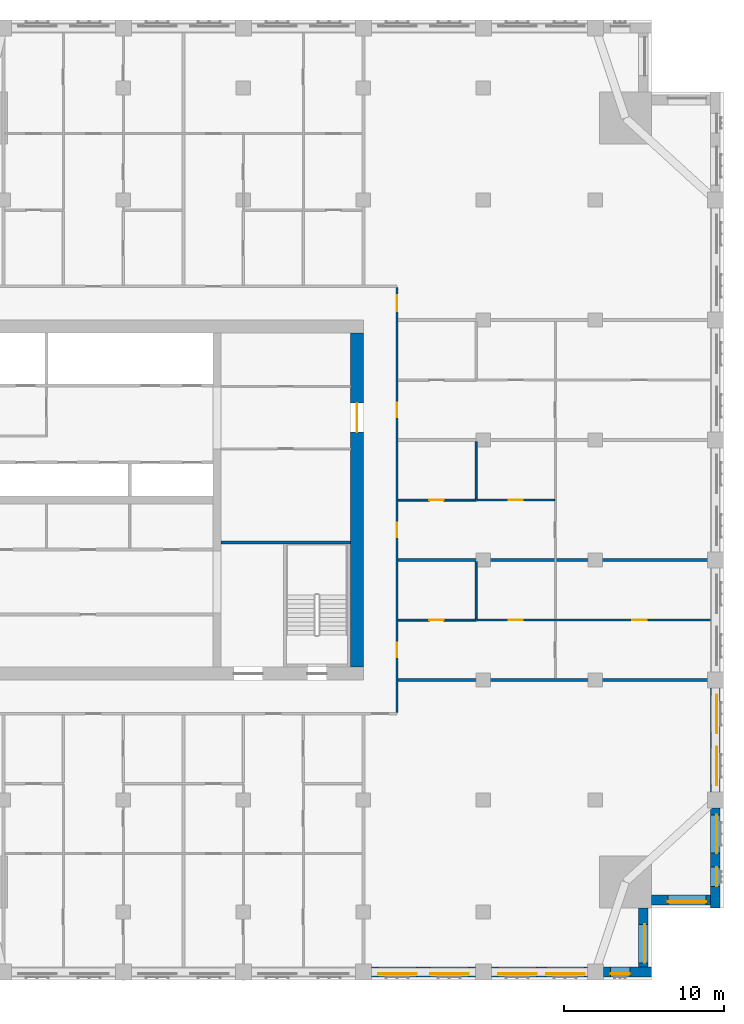
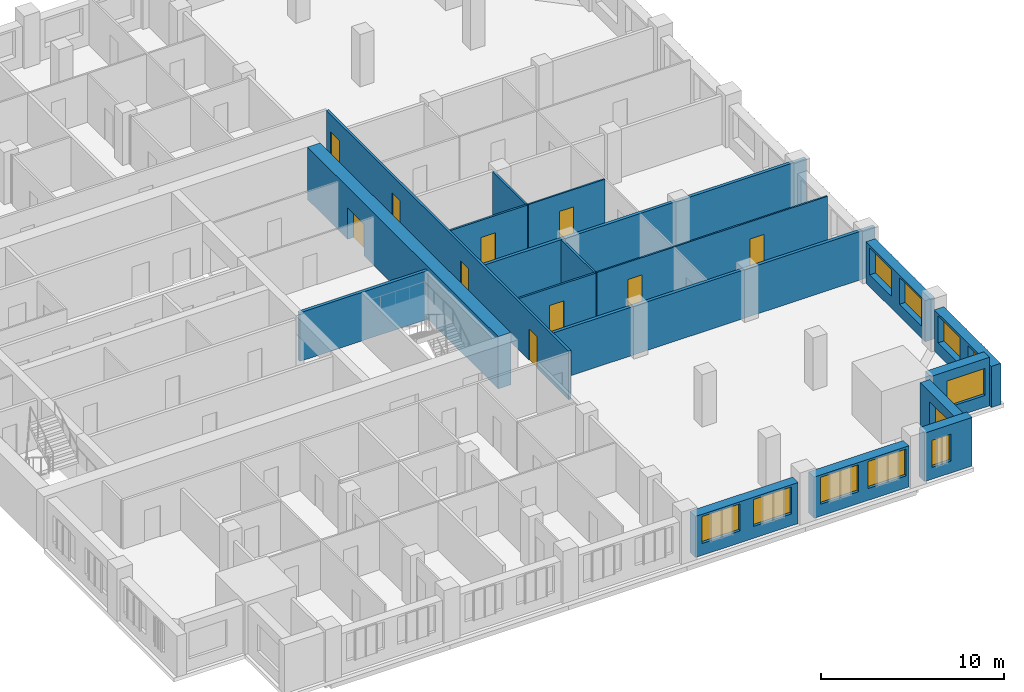
# One storey, part 8 of 14: 18 walls, 11 windows, 10 doors, 21 openings.
"""IFC4 building model written with IfcOpenShell, lengths in metres."""

from ifc_helpers import new_model, si_unit, direction, frame, frame_2d, origin, place, context, subcontext, project, spatial, rectangle, extrude, material, layer, layer_set, type_object, element, fill, save


model = new_model("IFC4")

# Units and contexts
model_context = context("Model", 3, precision=1e-05, world=origin(), true_north=direction((0.0, 1.0)))
body_context = subcontext(model_context, "Body", "Model", "MODEL_VIEW")
ifc_project = project(units=[si_unit("LENGTHUNIT", "METRE"), si_unit("AREAUNIT", "SQUARE_METRE"), si_unit("VOLUMEUNIT", "CUBIC_METRE"), si_unit("PLANEANGLEUNIT", "RADIAN"), si_unit("MASSUNIT", "GRAM", prefix="KILO")], contexts=[model_context])

# Site, building, storey
site_placement = place(None, origin())
site = spatial("IfcSite", under=ifc_project, at=site_placement, CompositionType="ELEMENT")
building_placement = place(site_placement, origin())
building = spatial("IfcBuilding", under=site, at=building_placement, Name="Tamorin Gate", CompositionType="ELEMENT")
storey_placement = place(building_placement, frame((0.0, 0.0, 196.699951171875)))
storey = spatial("IfcBuildingStorey", under=building, at=storey_placement, Name="L48", CompositionType="ELEMENT", Elevation=196.699951171875)

# Wall, openings, windows
ifc_material_1 = material(Name="Precast concrete C40/50", Category="concrete")
ifc_layer_1 = layer(ifc_material_1, 0.60009765625)
ifc_layer_set_1 = layer_set([ifc_layer_1], Name="Precast concrete C40/50")
wall_type_1 = type_object("IfcWallType", Name="Board-marked concrete facade panel 600", PredefinedType="SOLIDWALL", material=ifc_layer_set_1)
wall_1_placement = place(storey_placement, frame((60.5, 41.75, 0.0), z_axis=(0.0, 0.0, 1.0), x_axis=(1.0, 0.0, 0.0)))
wall_1 = element("IfcWall", 1, at=wall_1_placement, inside=storey, type_object=wall_type_1, Name="Facade panel", PredefinedType="SOLIDWALL", context=body_context, shape_type="SweptSolid", body=[
    extrude(rectangle(XDim=6.5, YDim=0.60009765625, at=frame_2d((3.25, 0.0))), origin(), (0.0, 0.0, 1.0), 2.75),
])
opening_1_placement = place(wall_1_placement, frame((0.425048828125, 0.0, 0.800048828125)))
opening_1 = element("IfcOpeningElement", 2, at=opening_1_placement, cuts=wall_1, Name="Opening WN1", PredefinedType="OPENING", context=body_context, shape_type="SweptSolid", body=[
    extrude(rectangle(XDim=2.39990234375, YDim=1.800048828125, at=frame_2d((1.199951171875, 0.89990234375))), frame((0.0, 0.31005859375, 0.0), z_axis=(0.0, -1.0, 0.0), x_axis=(1.0, 0.0, 0.0)), (0.0, 0.0, 1.0), 0.6201171875),
])
opening_2_placement = place(wall_1_placement, frame((3.675048828125, 0.0, 0.800048828125)))
opening_2 = element("IfcOpeningElement", 3, at=opening_2_placement, cuts=wall_1, Name="Opening WN1", PredefinedType="OPENING", context=body_context, shape_type="SweptSolid", body=[
    extrude(rectangle(XDim=2.39990234375, YDim=1.800048828125, at=frame_2d((1.199951171875, 0.89990234375))), frame((0.0, 0.31005859375, 0.0), z_axis=(0.0, -1.0, 0.0), x_axis=(1.0, 0.0, 0.0)), (0.0, 0.0, 1.0), 0.6201171875),
])
ifc_material_2 = material(Name="Clear glass in aluminium frame", Category="aluminium")
window_type_1 = type_object("IfcWindowType", Name="Deep-set window 2400x1800", PartitioningType="SINGLE_PANEL", PredefinedType="WINDOW", material=ifc_material_2)
window_1_placement = place(opening_1_placement, origin())
window_1 = element("IfcWindow", 4, at=window_1_placement, inside=storey, type_object=window_type_1, Name="Deep-set window", OverallHeight=1.800048828125, OverallWidth=2.39990234375, PartitioningType="SINGLE_PANEL", PredefinedType="WINDOW", context=body_context, shape_type="SweptSolid", body=[
    extrude(rectangle(XDim=2.39990234375, YDim=1.800048828125, at=frame_2d((1.199951171875, 0.89990234375))), frame((0.0, -0.070068359375, 0.0), z_axis=(0.0, -1.0, 0.0), x_axis=(1.0, 0.0, 0.0)), (0.0, 0.0, 1.0), 0.06005859375),
])
fill(opening_1, window_1)
window_2_placement = place(opening_2_placement, origin())
window_2 = element("IfcWindow", 5, at=window_2_placement, inside=storey, type_object=window_type_1, Name="Deep-set window", OverallHeight=1.800048828125, OverallWidth=2.39990234375, PartitioningType="SINGLE_PANEL", PredefinedType="WINDOW", context=body_context, shape_type="SweptSolid", body=[
    extrude(rectangle(XDim=2.39990234375, YDim=1.800048828125, at=frame_2d((1.199951171875, 0.89990234375))), frame((0.0, -0.070068359375, 0.0), z_axis=(0.0, -1.0, 0.0), x_axis=(1.0, 0.0, 0.0)), (0.0, 0.0, 1.0), 0.06005859375),
])
fill(opening_2, window_2)

wall_2_placement = place(storey_placement, frame((68.0, 41.75, 0.0), z_axis=(0.0, 0.0, 1.0), x_axis=(1.0, 0.0, 0.0)))
wall_2 = element("IfcWall", 6, at=wall_2_placement, inside=storey, type_object=wall_type_1, Name="Facade panel", PredefinedType="SOLIDWALL", context=body_context, shape_type="SweptSolid", body=[
    extrude(rectangle(XDim=6.0, YDim=0.60009765625, at=frame_2d((3.0, 0.0))), origin(), (0.0, 0.0, 1.0), 2.75),
])
opening_3_placement = place(wall_2_placement, frame((0.425048828125, 0.0, 0.800048828125)))
opening_3 = element("IfcOpeningElement", 7, at=opening_3_placement, cuts=wall_2, Name="Opening WN1", PredefinedType="OPENING", context=body_context, shape_type="SweptSolid", body=[
    extrude(rectangle(XDim=2.39990234375, YDim=1.800048828125, at=frame_2d((1.199951171875, 0.89990234375))), frame((0.0, 0.31005859375, 0.0), z_axis=(0.0, -1.0, 0.0), x_axis=(1.0, 0.0, 0.0)), (0.0, 0.0, 1.0), 0.6201171875),
])
opening_4_placement = place(wall_2_placement, frame((3.425048828125, 0.0, 0.800048828125)))
opening_4 = element("IfcOpeningElement", 8, at=opening_4_placement, cuts=wall_2, Name="Opening WN1", PredefinedType="OPENING", context=body_context, shape_type="SweptSolid", body=[
    extrude(rectangle(XDim=2.39990234375, YDim=1.800048828125, at=frame_2d((1.199951171875, 0.89990234375))), frame((0.0, 0.31005859375, 0.0), z_axis=(0.0, -1.0, 0.0), x_axis=(1.0, 0.0, 0.0)), (0.0, 0.0, 1.0), 0.6201171875),
])
window_3_placement = place(opening_3_placement, origin())
window_3 = element("IfcWindow", 9, at=window_3_placement, inside=storey, type_object=window_type_1, Name="Deep-set window", OverallHeight=1.800048828125, OverallWidth=2.39990234375, PartitioningType="SINGLE_PANEL", PredefinedType="WINDOW", context=body_context, shape_type="SweptSolid", body=[
    extrude(rectangle(XDim=2.39990234375, YDim=1.800048828125, at=frame_2d((1.199951171875, 0.89990234375))), frame((0.0, -0.070068359375, 0.0), z_axis=(0.0, -1.0, 0.0), x_axis=(1.0, 0.0, 0.0)), (0.0, 0.0, 1.0), 0.06005859375),
])
fill(opening_3, window_3)
window_4_placement = place(opening_4_placement, origin())
window_4 = element("IfcWindow", 10, at=window_4_placement, inside=storey, type_object=window_type_1, Name="Deep-set window", OverallHeight=1.800048828125, OverallWidth=2.39990234375, PartitioningType="SINGLE_PANEL", PredefinedType="WINDOW", context=body_context, shape_type="SweptSolid", body=[
    extrude(rectangle(XDim=2.39990234375, YDim=1.800048828125, at=frame_2d((1.199951171875, 0.89990234375))), frame((0.0, -0.070068359375, 0.0), z_axis=(0.0, -1.0, 0.0), x_axis=(1.0, 0.0, 0.0)), (0.0, 0.0, 1.0), 0.06005859375),
])
fill(opening_4, window_4)

# Wall, opening, window
wall_3_placement = place(storey_placement, frame((75.0, 41.75, 0.0), z_axis=(0.0, 0.0, 1.0), x_axis=(1.0, 0.0, 0.0)))
wall_3 = element("IfcWall", 11, at=wall_3_placement, inside=storey, type_object=wall_type_1, Name="Facade panel", PredefinedType="SOLIDWALL", context=body_context, shape_type="SweptSolid", body=[
    extrude(rectangle(XDim=3.0, YDim=0.60009765625, at=frame_2d((1.5, 0.0))), origin(), (0.0, 0.0, 1.0), 3.25),
])
opening_5_placement = place(wall_3_placement, frame((0.449951171875, 0.0, 0.800048828125)))
opening_5 = element("IfcOpeningElement", 12, at=opening_5_placement, cuts=wall_3, Name="Opening WN3", PredefinedType="OPENING", context=body_context, shape_type="SweptSolid", body=[
    extrude(rectangle(XDim=1.199951171875, YDim=1.800048828125, at=frame_2d((0.60009765625, 0.89990234375))), frame((0.0, 0.31005859375, 0.0), z_axis=(0.0, -1.0, 0.0), x_axis=(1.0, 0.0, 0.0)), (0.0, 0.0, 1.0), 0.6201171875),
])
window_type_2 = type_object("IfcWindowType", Name="Deep-set window 1200x1800", PartitioningType="SINGLE_PANEL", PredefinedType="WINDOW", material=ifc_material_2)
window_5_placement = place(opening_5_placement, origin())
window_5 = element("IfcWindow", 13, at=window_5_placement, inside=storey, type_object=window_type_2, Name="Deep-set window", OverallHeight=1.800048828125, OverallWidth=1.199951171875, PartitioningType="SINGLE_PANEL", PredefinedType="WINDOW", context=body_context, shape_type="SweptSolid", body=[
    extrude(rectangle(XDim=1.199951171875, YDim=1.800048828125, at=frame_2d((0.60009765625, 0.89990234375))), frame((0.0, -0.070068359375, 0.0), z_axis=(0.0, -1.0, 0.0), x_axis=(1.0, 0.0, 0.0)), (0.0, 0.0, 1.0), 0.06005859375),
])
fill(opening_5, window_5)

wall_4_placement = place(storey_placement, frame((77.5, 42.050048828125, 0.0), z_axis=(0.0, 0.0, 1.0), x_axis=(0.0, 1.0, 0.0)))
wall_4 = element("IfcWall", 14, at=wall_4_placement, inside=storey, type_object=wall_type_1, Name="Facade panel", PredefinedType="SOLIDWALL", context=body_context, shape_type="SweptSolid", body=[
    extrude(rectangle(XDim=3.699951171875, YDim=0.60009765625, at=frame_2d((1.85009765625, 0.0))), origin(), (0.0, 0.0, 1.0), 3.25),
])
opening_6_placement = place(wall_4_placement, frame((0.27490234375, 0.0, 0.800048828125)))
opening_6 = element("IfcOpeningElement", 15, at=opening_6_placement, cuts=wall_4, Name="Opening WN1", PredefinedType="OPENING", context=body_context, shape_type="SweptSolid", body=[
    extrude(rectangle(XDim=2.39990234375, YDim=1.800048828125, at=frame_2d((1.199951171875, 0.89990234375))), frame((0.0, 0.31005859375, 0.0), z_axis=(0.0, -1.0, 0.0), x_axis=(1.0, 0.0, 0.0)), (0.0, 0.0, 1.0), 0.6201171875),
])
window_6_placement = place(opening_6_placement, origin())
window_6 = element("IfcWindow", 16, at=window_6_placement, inside=storey, type_object=window_type_1, Name="Deep-set window", OverallHeight=1.800048828125, OverallWidth=2.39990234375, PartitioningType="SINGLE_PANEL", PredefinedType="WINDOW", context=body_context, shape_type="SweptSolid", body=[
    extrude(rectangle(XDim=2.39990234375, YDim=1.800048828125, at=frame_2d((1.199951171875, 0.89990234375))), frame((0.0, -0.070068359375, 0.0), z_axis=(0.0, -1.0, 0.0), x_axis=(1.0, 0.0, 0.0)), (0.0, 0.0, 1.0), 0.06005859375),
])
fill(opening_6, window_6)

wall_5_placement = place(storey_placement, frame((78.0, 46.25, 0.0), z_axis=(0.0, 0.0, 1.0), x_axis=(1.0, 0.0, 0.0)))
wall_5 = element("IfcWall", 17, at=wall_5_placement, inside=storey, type_object=wall_type_1, Name="Facade panel", PredefinedType="SOLIDWALL", context=body_context, shape_type="SweptSolid", body=[
    extrude(rectangle(XDim=3.699951171875, YDim=0.60009765625, at=frame_2d((1.85009765625, 0.0))), origin(), (0.0, 0.0, 1.0), 3.25),
])
opening_7_placement = place(wall_5_placement, frame((1.02490234375, 0.0, 0.800048828125)))
opening_7 = element("IfcOpeningElement", 18, at=opening_7_placement, cuts=wall_5, Name="Opening WN1", PredefinedType="OPENING", context=body_context, shape_type="SweptSolid", body=[
    extrude(rectangle(XDim=2.39990234375, YDim=1.800048828125, at=frame_2d((1.199951171875, 0.89990234375))), frame((0.0, 0.31005859375, 0.0), z_axis=(0.0, -1.0, 0.0), x_axis=(1.0, 0.0, 0.0)), (0.0, 0.0, 1.0), 0.6201171875),
])
window_7_placement = place(opening_7_placement, origin())
window_7 = element("IfcWindow", 19, at=window_7_placement, inside=storey, type_object=window_type_1, Name="Deep-set window", OverallHeight=1.800048828125, OverallWidth=2.39990234375, PartitioningType="SINGLE_PANEL", PredefinedType="WINDOW", context=body_context, shape_type="SweptSolid", body=[
    extrude(rectangle(XDim=2.39990234375, YDim=1.800048828125, at=frame_2d((1.199951171875, 0.89990234375))), frame((0.0, -0.070068359375, 0.0), z_axis=(0.0, -1.0, 0.0), x_axis=(1.0, 0.0, 0.0)), (0.0, 0.0, 1.0), 0.06005859375),
])
fill(opening_7, window_7)

# Wall, openings, windows
wall_6_placement = place(storey_placement, frame((82.0, 45.75, 0.0), z_axis=(0.0, 0.0, 1.0), x_axis=(0.0, 1.0, 0.0)))
wall_6 = element("IfcWall", 20, at=wall_6_placement, inside=storey, type_object=wall_type_1, Name="Facade panel", PredefinedType="SOLIDWALL", context=body_context, shape_type="SweptSolid", body=[
    extrude(rectangle(XDim=6.25, YDim=0.60009765625, at=frame_2d((3.125, 0.0))), origin(), (0.0, 0.0, 1.0), 2.75),
])
opening_8_placement = place(wall_6_placement, frame((1.35009765625, 0.0, 0.800048828125)))
opening_8 = element("IfcOpeningElement", 21, at=opening_8_placement, cuts=wall_6, Name="Opening WN3", PredefinedType="OPENING", context=body_context, shape_type="SweptSolid", body=[
    extrude(rectangle(XDim=1.199951171875, YDim=1.800048828125, at=frame_2d((0.60009765625, 0.89990234375))), frame((0.0, 0.31005859375, 0.0), z_axis=(0.0, -1.0, 0.0), x_axis=(1.0, 0.0, 0.0)), (0.0, 0.0, 1.0), 0.6201171875),
])
opening_9_placement = place(wall_6_placement, frame((3.425048828125, 0.0, 0.800048828125)))
opening_9 = element("IfcOpeningElement", 22, at=opening_9_placement, cuts=wall_6, Name="Opening WN1", PredefinedType="OPENING", context=body_context, shape_type="SweptSolid", body=[
    extrude(rectangle(XDim=2.39990234375, YDim=1.800048828125, at=frame_2d((1.199951171875, 0.89990234375))), frame((0.0, 0.31005859375, 0.0), z_axis=(0.0, -1.0, 0.0), x_axis=(1.0, 0.0, 0.0)), (0.0, 0.0, 1.0), 0.6201171875),
])
window_8_placement = place(opening_8_placement, origin())
window_8 = element("IfcWindow", 23, at=window_8_placement, inside=storey, type_object=window_type_2, Name="Deep-set window", OverallHeight=1.800048828125, OverallWidth=1.199951171875, PartitioningType="SINGLE_PANEL", PredefinedType="WINDOW", context=body_context, shape_type="SweptSolid", body=[
    extrude(rectangle(XDim=1.199951171875, YDim=1.800048828125, at=frame_2d((0.60009765625, 0.89990234375))), frame((0.0, -0.070068359375, 0.0), z_axis=(0.0, -1.0, 0.0), x_axis=(1.0, 0.0, 0.0)), (0.0, 0.0, 1.0), 0.06005859375),
])
fill(opening_8, window_8)
window_9_placement = place(opening_9_placement, origin())
window_9 = element("IfcWindow", 24, at=window_9_placement, inside=storey, type_object=window_type_1, Name="Deep-set window", OverallHeight=1.800048828125, OverallWidth=2.39990234375, PartitioningType="SINGLE_PANEL", PredefinedType="WINDOW", context=body_context, shape_type="SweptSolid", body=[
    extrude(rectangle(XDim=2.39990234375, YDim=1.800048828125, at=frame_2d((1.199951171875, 0.89990234375))), frame((0.0, -0.070068359375, 0.0), z_axis=(0.0, -1.0, 0.0), x_axis=(1.0, 0.0, 0.0)), (0.0, 0.0, 1.0), 0.06005859375),
])
fill(opening_9, window_9)

wall_7_placement = place(storey_placement, frame((82.0, 53.0, 0.0), z_axis=(0.0, 0.0, 1.0), x_axis=(0.0, 1.0, 0.0)))
wall_7 = element("IfcWall", 25, at=wall_7_placement, inside=storey, type_object=wall_type_1, Name="Facade panel", PredefinedType="SOLIDWALL", context=body_context, shape_type="SweptSolid", body=[
    extrude(rectangle(XDim=6.5, YDim=0.60009765625, at=frame_2d((3.25, 0.0))), origin(), (0.0, 0.0, 1.0), 2.75),
])
opening_10_placement = place(wall_7_placement, frame((0.425048828125, 0.0, 0.800048828125)))
opening_10 = element("IfcOpeningElement", 26, at=opening_10_placement, cuts=wall_7, Name="Opening WN1", PredefinedType="OPENING", context=body_context, shape_type="SweptSolid", body=[
    extrude(rectangle(XDim=2.39990234375, YDim=1.800048828125, at=frame_2d((1.199951171875, 0.89990234375))), frame((0.0, 0.31005859375, 0.0), z_axis=(0.0, -1.0, 0.0), x_axis=(1.0, 0.0, 0.0)), (0.0, 0.0, 1.0), 0.6201171875),
])
opening_11_placement = place(wall_7_placement, frame((3.675048828125, 0.0, 0.800048828125)))
opening_11 = element("IfcOpeningElement", 27, at=opening_11_placement, cuts=wall_7, Name="Opening WN1", PredefinedType="OPENING", context=body_context, shape_type="SweptSolid", body=[
    extrude(rectangle(XDim=2.39990234375, YDim=1.800048828125, at=frame_2d((1.199951171875, 0.89990234375))), frame((0.0, 0.31005859375, 0.0), z_axis=(0.0, -1.0, 0.0), x_axis=(1.0, 0.0, 0.0)), (0.0, 0.0, 1.0), 0.6201171875),
])
window_10_placement = place(opening_10_placement, origin())
window_10 = element("IfcWindow", 28, at=window_10_placement, inside=storey, type_object=window_type_1, Name="Deep-set window", OverallHeight=1.800048828125, OverallWidth=2.39990234375, PartitioningType="SINGLE_PANEL", PredefinedType="WINDOW", context=body_context, shape_type="SweptSolid", body=[
    extrude(rectangle(XDim=2.39990234375, YDim=1.800048828125, at=frame_2d((1.199951171875, 0.89990234375))), frame((0.0, -0.070068359375, 0.0), z_axis=(0.0, -1.0, 0.0), x_axis=(1.0, 0.0, 0.0)), (0.0, 0.0, 1.0), 0.06005859375),
])
fill(opening_10, window_10)
window_11_placement = place(opening_11_placement, origin())
window_11 = element("IfcWindow", 29, at=window_11_placement, inside=storey, type_object=window_type_1, Name="Deep-set window", OverallHeight=1.800048828125, OverallWidth=2.39990234375, PartitioningType="SINGLE_PANEL", PredefinedType="WINDOW", context=body_context, shape_type="SweptSolid", body=[
    extrude(rectangle(XDim=2.39990234375, YDim=1.800048828125, at=frame_2d((1.199951171875, 0.89990234375))), frame((0.0, -0.070068359375, 0.0), z_axis=(0.0, -1.0, 0.0), x_axis=(1.0, 0.0, 0.0)), (0.0, 0.0, 1.0), 0.06005859375),
])
fill(opening_11, window_11)

# Wall, openings, doors
ifc_material_3 = material(Name="Gypsum board partition")
ifc_layer_2 = layer(ifc_material_3, 0.14990234375)
ifc_layer_set_2 = layer_set([ifc_layer_2], Name="Corridor wall 150")
wall_type_2 = type_object("IfcWallType", Name="Corridor wall 150", PredefinedType="PARTITIONING", material=ifc_layer_set_2)
wall_8_placement = place(storey_placement, frame((62.10009765625, 57.97509765625, 0.0), z_axis=(0.0, 0.0, 1.0), x_axis=(0.0, 1.0, 0.0)))
wall_8 = element("IfcWall", 30, at=wall_8_placement, inside=storey, type_object=wall_type_2, Name="Corridor wall 150", PredefinedType="PARTITIONING", context=body_context, shape_type="SweptSolid", body=[
    extrude(rectangle(XDim=26.5498046875, YDim=0.14990234375, at=frame_2d((13.27490234375, 0.0))), origin(), (0.0, 0.0, 1.0), 3.25),
])
opening_12_placement = place(wall_8_placement, frame((25.074951171875, 0.0, 0.0)))
opening_12 = element("IfcOpeningElement", 31, at=opening_12_placement, cuts=wall_8, Name="Opening DR2035", PredefinedType="OPENING", context=body_context, shape_type="SweptSolid", body=[
    extrude(rectangle(XDim=1.0, YDim=2.10009765625, at=frame_2d((0.5, 1.050048828125))), frame((0.0, 0.0849609375, 0.0), z_axis=(0.0, -1.0, 0.0), x_axis=(1.0, 0.0, 0.0)), (0.0, 0.0, 1.0), 0.169921875),
])
opening_13_placement = place(wall_8_placement, frame((3.449951171875, 0.0, 0.0)))
opening_13 = element("IfcOpeningElement", 32, at=opening_13_placement, cuts=wall_8, Name="Opening DR2036", PredefinedType="OPENING", context=body_context, shape_type="SweptSolid", body=[
    extrude(rectangle(XDim=0.89990234375, YDim=2.10009765625, at=frame_2d((0.449951171875, 1.050048828125))), frame((0.0, 0.0849609375, 0.0), z_axis=(0.0, -1.0, 0.0), x_axis=(1.0, 0.0, 0.0)), (0.0, 0.0, 1.0), 0.169921875),
])
opening_14_placement = place(wall_8_placement, frame((10.949951171875, 0.0, 0.0)))
opening_14 = element("IfcOpeningElement", 33, at=opening_14_placement, cuts=wall_8, Name="Opening DR2041", PredefinedType="OPENING", context=body_context, shape_type="SweptSolid", body=[
    extrude(rectangle(XDim=0.89990234375, YDim=2.10009765625, at=frame_2d((0.449951171875, 1.050048828125))), frame((0.0, 0.0849609375, 0.0), z_axis=(0.0, -1.0, 0.0), x_axis=(1.0, 0.0, 0.0)), (0.0, 0.0, 1.0), 0.169921875),
])
opening_15_placement = place(wall_8_placement, frame((18.449951171875, 0.0, 0.0)))
opening_15 = element("IfcOpeningElement", 34, at=opening_15_placement, cuts=wall_8, Name="Opening DR2045", PredefinedType="OPENING", context=body_context, shape_type="SweptSolid", body=[
    extrude(rectangle(XDim=0.89990234375, YDim=2.10009765625, at=frame_2d((0.449951171875, 1.050048828125))), frame((0.0, 0.0849609375, 0.0), z_axis=(0.0, -1.0, 0.0), x_axis=(1.0, 0.0, 0.0)), (0.0, 0.0, 1.0), 0.169921875),
])
ifc_material_4 = material(Name="Timber door leaf", Category="wood")
door_type_1 = type_object("IfcDoorType", Name="Door 1000 x 2100 FD30S", OperationType="NOTDEFINED", PredefinedType="DOOR", material=ifc_material_4)
door_1_placement = place(opening_12_placement, origin())
door_1 = element("IfcDoor", 35, at=door_1_placement, inside=storey, type_object=door_type_1, Name="Door DR2035", OperationType="SINGLE_SWING_RIGHT", OverallHeight=2.10009765625, OverallWidth=1.0, PredefinedType="DOOR", context=body_context, shape_type="SweptSolid", body=[
    extrude(rectangle(XDim=1.0, YDim=2.10009765625, at=frame_2d((0.5, 1.050048828125))), frame((0.0, 0.02490234375, 0.0), z_axis=(0.0, -1.0, 0.0), x_axis=(1.0, 0.0, 0.0)), (0.0, 0.0, 1.0), 0.050048828125),
])
fill(opening_12, door_1)
door_type_2 = type_object("IfcDoorType", Name="Door 900 x 2100 FD30S", OperationType="NOTDEFINED", PredefinedType="DOOR", material=ifc_material_4)
door_2_placement = place(opening_13_placement, origin())
door_2 = element("IfcDoor", 36, at=door_2_placement, inside=storey, type_object=door_type_2, Name="Door DR2036", OperationType="SINGLE_SWING_RIGHT", OverallHeight=2.10009765625, OverallWidth=0.89990234375, PredefinedType="DOOR", context=body_context, shape_type="SweptSolid", body=[
    extrude(rectangle(XDim=0.89990234375, YDim=2.10009765625, at=frame_2d((0.449951171875, 1.050048828125))), frame((0.0, 0.02490234375, 0.0), z_axis=(0.0, -1.0, 0.0), x_axis=(1.0, 0.0, 0.0)), (0.0, 0.0, 1.0), 0.050048828125),
])
fill(opening_13, door_2)
door_3_placement = place(opening_14_placement, origin())
door_3 = element("IfcDoor", 37, at=door_3_placement, inside=storey, type_object=door_type_2, Name="Door DR2041", OperationType="SINGLE_SWING_RIGHT", OverallHeight=2.10009765625, OverallWidth=0.89990234375, PredefinedType="DOOR", context=body_context, shape_type="SweptSolid", body=[
    extrude(rectangle(XDim=0.89990234375, YDim=2.10009765625, at=frame_2d((0.449951171875, 1.050048828125))), frame((0.0, 0.02490234375, 0.0), z_axis=(0.0, -1.0, 0.0), x_axis=(1.0, 0.0, 0.0)), (0.0, 0.0, 1.0), 0.050048828125),
])
fill(opening_14, door_3)
door_4_placement = place(opening_15_placement, origin())
door_4 = element("IfcDoor", 38, at=door_4_placement, inside=storey, type_object=door_type_2, Name="Door DR2045", OperationType="SINGLE_SWING_RIGHT", OverallHeight=2.10009765625, OverallWidth=0.89990234375, PredefinedType="DOOR", context=body_context, shape_type="SweptSolid", body=[
    extrude(rectangle(XDim=0.89990234375, YDim=2.10009765625, at=frame_2d((0.449951171875, 1.050048828125))), frame((0.0, 0.02490234375, 0.0), z_axis=(0.0, -1.0, 0.0), x_axis=(1.0, 0.0, 0.0)), (0.0, 0.0, 1.0), 0.050048828125),
])
fill(opening_15, door_4)

# Walls
ifc_layer_3 = layer(ifc_material_3, 0.199951171875)
ifc_layer_set_3 = layer_set([ifc_layer_3], Name="Demising wall 200")
wall_type_3 = type_object("IfcWallType", Name="Demising wall 200", PredefinedType="PARTITIONING", material=ifc_layer_set_3)
for number, where, z_axis, x_axis, name in (
    (39, (62.175048828125, 60.0, 0.0), (0.0, 0.0, 1.0), (1.0, 0.0, 0.0), "Demising wall 200"),
    (40, (62.175048828125, 67.5, 0.0), (0.0, 0.0, 1.0), (1.0, 0.0, 0.0), "Demising wall 200"),
):
    element("IfcWall", number, at=place(storey_placement, frame(where, z_axis=z_axis, x_axis=x_axis)), inside=storey, type_object=wall_type_3, Name=name, PredefinedType="PARTITIONING", context=body_context, shape_type="SweptSolid", body=[
        extrude(rectangle(XDim=20.324951171875, YDim=0.199951171875, at=frame_2d((10.16259765625, 0.0))), origin(), (0.0, 0.0, 1.0), 3.25),
    ])

# Wall, opening, door
ifc_material_5 = material(Name="Concrete C60/75", Category="concrete")
ifc_layer_4 = layer(ifc_material_5, 0.800048828125)
ifc_layer_set_4 = layer_set([ifc_layer_4], Name="RC core wall 800 C60/75")
wall_type_4 = type_object("IfcWallType", Name="RC core wall 800 C60/75", PredefinedType="SHEAR", material=ifc_layer_set_4)
wall_9_placement = place(storey_placement, frame((59.60009765625, 60.800048828125, 0.0), z_axis=(0.0, 0.0, 1.0), x_axis=(0.0, 1.0, 0.0)))
wall_9 = element("IfcWall", 41, at=wall_9_placement, inside=storey, type_object=wall_type_4, Name="Core wall L48", PredefinedType="SHEAR", context=body_context, shape_type="SweptSolid", body=[
    extrude(rectangle(XDim=20.89990234375, YDim=0.800048828125, at=frame_2d((10.449951171875, 0.0))), origin(), (0.0, 0.0, 1.0), 3.5),
])
opening_16_placement = place(wall_9_placement, frame((14.699951171875, 0.0, 0.0)))
opening_16 = element("IfcOpeningElement", 42, at=opening_16_placement, cuts=wall_9, Name="Opening DE1", PredefinedType="OPENING", context=body_context, shape_type="SweptSolid", body=[
    extrude(rectangle(XDim=1.800048828125, YDim=2.10009765625, at=frame_2d((0.89990234375, 1.050048828125))), frame((0.0, 0.409912109375, 0.0), z_axis=(0.0, -1.0, 0.0), x_axis=(1.0, 0.0, 0.0)), (0.0, 0.0, 1.0), 0.820068359375),
])
ifc_material_6 = material(Name="Steel fire door", Category="steel")
door_type_3 = type_object("IfcDoorType", Name="Lobby exit double door 1800 x 2100 EI 60", OperationType="DOUBLE_DOOR_SINGLE_SWING", PredefinedType="DOOR", material=ifc_material_6)
door_5_placement = place(opening_16_placement, origin())
door_5 = element("IfcDoor", 43, at=door_5_placement, inside=storey, type_object=door_type_3, Name="Lift lobby B exit door", OperationType="DOUBLE_DOOR_SINGLE_SWING", OverallHeight=2.10009765625, OverallWidth=1.800048828125, PredefinedType="DOOR", context=body_context, shape_type="SweptSolid", body=[
    extrude(rectangle(XDim=1.800048828125, YDim=2.10009765625, at=frame_2d((0.89990234375, 1.050048828125))), frame((0.0, 0.02490234375, 0.0), z_axis=(0.0, -1.0, 0.0), x_axis=(1.0, 0.0, 0.0)), (0.0, 0.0, 1.0), 0.050048828125),
])
fill(opening_16, door_5)

# Wall, openings, doors
ifc_layer_5 = layer(ifc_material_3, 0.10009765625)
ifc_layer_set_5 = layer_set([ifc_layer_5], Name="Room partition 100")
wall_type_5 = type_object("IfcWallType", Name="Room partition 100", PredefinedType="PARTITIONING", material=ifc_layer_set_5)
wall_10_placement = place(storey_placement, frame((67.112548828125, 63.75, 0.0), z_axis=(0.0, 0.0, 1.0), x_axis=(1.0, 0.0, 0.0)))
wall_10 = element("IfcWall", 44, at=wall_10_placement, inside=storey, type_object=wall_type_5, Name="Room partition 100", PredefinedType="PARTITIONING", context=body_context, shape_type="SweptSolid", body=[
    extrude(rectangle(XDim=14.577392578125, YDim=0.10009765625, at=frame_2d((7.28857421875, 0.0))), origin(), (0.0, 0.0, 1.0), 3.25),
])
opening_17_placement = place(wall_10_placement, frame((1.96240234375, 0.0, 0.0)))
opening_17 = element("IfcOpeningElement", 45, at=opening_17_placement, cuts=wall_10, Name="Opening DR2038", PredefinedType="OPENING", context=body_context, shape_type="SweptSolid", body=[
    extrude(rectangle(XDim=0.89990234375, YDim=2.10009765625, at=frame_2d((0.449951171875, 1.050048828125))), frame((0.0, 0.06005859375, 0.0), z_axis=(0.0, -1.0, 0.0), x_axis=(1.0, 0.0, 0.0)), (0.0, 0.0, 1.0), 0.1201171875),
])
opening_18_placement = place(wall_10_placement, frame((9.6875, 0.0, 0.0)))
opening_18 = element("IfcOpeningElement", 46, at=opening_18_placement, cuts=wall_10, Name="Opening DR2040", PredefinedType="OPENING", context=body_context, shape_type="SweptSolid", body=[
    extrude(rectangle(XDim=0.89990234375, YDim=2.10009765625, at=frame_2d((0.449951171875, 1.050048828125))), frame((0.0, 0.06005859375, 0.0), z_axis=(0.0, -1.0, 0.0), x_axis=(1.0, 0.0, 0.0)), (0.0, 0.0, 1.0), 0.1201171875),
])
door_type_4 = type_object("IfcDoorType", Name="Door 900 x 2100", OperationType="NOTDEFINED", PredefinedType="DOOR", material=ifc_material_4)
door_6_placement = place(opening_17_placement, origin())
door_6 = element("IfcDoor", 47, at=door_6_placement, inside=storey, type_object=door_type_4, Name="Door DR2038", OperationType="SINGLE_SWING_LEFT", OverallHeight=2.10009765625, OverallWidth=0.89990234375, PredefinedType="DOOR", context=body_context, shape_type="SweptSolid", body=[
    extrude(rectangle(XDim=0.89990234375, YDim=2.10009765625, at=frame_2d((0.449951171875, 1.050048828125))), frame((0.0, 0.02490234375, 0.0), z_axis=(0.0, -1.0, 0.0), x_axis=(1.0, 0.0, 0.0)), (0.0, 0.0, 1.0), 0.050048828125),
])
fill(opening_17, door_6)
door_7_placement = place(opening_18_placement, origin())
door_7 = element("IfcDoor", 48, at=door_7_placement, inside=storey, type_object=door_type_4, Name="Door DR2040", OperationType="SINGLE_SWING_RIGHT", OverallHeight=2.10009765625, OverallWidth=0.89990234375, PredefinedType="DOOR", context=body_context, shape_type="SweptSolid", body=[
    extrude(rectangle(XDim=0.89990234375, YDim=2.10009765625, at=frame_2d((0.449951171875, 1.050048828125))), frame((0.0, 0.02490234375, 0.0), z_axis=(0.0, -1.0, 0.0), x_axis=(1.0, 0.0, 0.0)), (0.0, 0.0, 1.0), 0.050048828125),
])
fill(opening_18, door_7)

# Wall, opening, door
wall_11_placement = place(storey_placement, frame((67.112548828125, 71.25, 0.0), z_axis=(0.0, 0.0, 1.0), x_axis=(1.0, 0.0, 0.0)))
wall_11 = element("IfcWall", 49, at=wall_11_placement, inside=storey, type_object=wall_type_5, Name="Room partition 100", PredefinedType="PARTITIONING", context=body_context, shape_type="SweptSolid", body=[
    extrude(rectangle(XDim=4.83740234375, YDim=0.10009765625, at=frame_2d((2.418701171875, 0.0))), origin(), (0.0, 0.0, 1.0), 3.25),
])
opening_19_placement = place(wall_11_placement, frame((1.96240234375, 0.0, 0.0)))
opening_19 = element("IfcOpeningElement", 50, at=opening_19_placement, cuts=wall_11, Name="Opening DR2043", PredefinedType="OPENING", context=body_context, shape_type="SweptSolid", body=[
    extrude(rectangle(XDim=0.89990234375, YDim=2.10009765625, at=frame_2d((0.449951171875, 1.050048828125))), frame((0.0, 0.06005859375, 0.0), z_axis=(0.0, -1.0, 0.0), x_axis=(1.0, 0.0, 0.0)), (0.0, 0.0, 1.0), 0.1201171875),
])
door_8_placement = place(opening_19_placement, origin())
door_8 = element("IfcDoor", 51, at=door_8_placement, inside=storey, type_object=door_type_4, Name="Door DR2043", OperationType="SINGLE_SWING_LEFT", OverallHeight=2.10009765625, OverallWidth=0.89990234375, PredefinedType="DOOR", context=body_context, shape_type="SweptSolid", body=[
    extrude(rectangle(XDim=0.89990234375, YDim=2.10009765625, at=frame_2d((0.449951171875, 1.050048828125))), frame((0.0, 0.02490234375, 0.0), z_axis=(0.0, -1.0, 0.0), x_axis=(1.0, 0.0, 0.0)), (0.0, 0.0, 1.0), 0.050048828125),
])
fill(opening_19, door_8)

# Wall
ifc_material_7 = material(Name="Concrete C40/50", Category="concrete")
ifc_layer_6 = layer(ifc_material_7, 0.199951171875)
ifc_layer_set_6 = layer_set([ifc_layer_6], Name="Stair enclosure wall 200 EI 120 C40/50")
wall_type_6 = type_object("IfcWallType", Name="Stair enclosure wall 200 EI 120 C40/50", PredefinedType="SOLIDWALL", material=ifc_layer_set_6)
wall_12_placement = place(storey_placement, frame((51.10009765625, 68.60009765625, 0.0), z_axis=(0.0, 0.0, 1.0), x_axis=(1.0, 0.0, 0.0)))
element("IfcWall", 52, at=wall_12_placement, inside=storey, type_object=wall_type_6, Name="Stair enclosure wall", PredefinedType="SOLIDWALL", context=body_context, shape_type="SweptSolid", body=[
    extrude(rectangle(XDim=8.099853515625, YDim=0.199951171875, at=frame_2d((4.0498046875, 0.0))), origin(), (0.0, 0.0, 1.0), 3.25),
])

# Wall, opening, door
ifc_layer_7 = layer(ifc_material_3, 0.125)
ifc_layer_set_7 = layer_set([ifc_layer_7], Name="Wet wall 125")
wall_type_7 = type_object("IfcWallType", Name="Wet wall 125", PredefinedType="PARTITIONING", material=ifc_layer_set_7)
wall_13_placement = place(storey_placement, frame((62.175048828125, 63.75, 0.0), z_axis=(0.0, 0.0, 1.0), x_axis=(1.0, 0.0, 0.0)))
wall_13 = element("IfcWall", 53, at=wall_13_placement, inside=storey, type_object=wall_type_7, Name="Wet wall 125", PredefinedType="PARTITIONING", context=body_context, shape_type="SweptSolid", body=[
    extrude(rectangle(XDim=4.875, YDim=0.125, at=frame_2d((2.4375, 0.0))), origin(), (0.0, 0.0, 1.0), 3.25),
])
opening_20_placement = place(wall_13_placement, frame((1.949951171875, 0.0, 0.0)))
opening_20 = element("IfcOpeningElement", 54, at=opening_20_placement, cuts=wall_13, Name="Opening DR2039", PredefinedType="OPENING", context=body_context, shape_type="SweptSolid", body=[
    extrude(rectangle(XDim=0.89990234375, YDim=2.10009765625, at=frame_2d((0.449951171875, 1.050048828125))), frame((0.0, 0.072509765625, 0.0), z_axis=(0.0, -1.0, 0.0), x_axis=(1.0, 0.0, 0.0)), (0.0, 0.0, 1.0), 0.14501953125),
])
door_9_placement = place(opening_20_placement, origin())
door_9 = element("IfcDoor", 55, at=door_9_placement, inside=storey, type_object=door_type_4, Name="Door DR2039", OperationType="SINGLE_SWING_RIGHT", OverallHeight=2.10009765625, OverallWidth=0.89990234375, PredefinedType="DOOR", context=body_context, shape_type="SweptSolid", body=[
    extrude(rectangle(XDim=0.89990234375, YDim=2.10009765625, at=frame_2d((0.449951171875, 1.050048828125))), frame((0.0, 0.02490234375, 0.0), z_axis=(0.0, -1.0, 0.0), x_axis=(1.0, 0.0, 0.0)), (0.0, 0.0, 1.0), 0.050048828125),
])
fill(opening_20, door_9)

wall_14_placement = place(storey_placement, frame((62.175048828125, 71.25, 0.0), z_axis=(0.0, 0.0, 1.0), x_axis=(1.0, 0.0, 0.0)))
wall_14 = element("IfcWall", 56, at=wall_14_placement, inside=storey, type_object=wall_type_7, Name="Wet wall 125", PredefinedType="PARTITIONING", context=body_context, shape_type="SweptSolid", body=[
    extrude(rectangle(XDim=4.875, YDim=0.125, at=frame_2d((2.4375, 0.0))), origin(), (0.0, 0.0, 1.0), 3.25),
])
opening_21_placement = place(wall_14_placement, frame((1.949951171875, 0.0, 0.0)))
opening_21 = element("IfcOpeningElement", 57, at=opening_21_placement, cuts=wall_14, Name="Opening DR2044", PredefinedType="OPENING", context=body_context, shape_type="SweptSolid", body=[
    extrude(rectangle(XDim=0.89990234375, YDim=2.10009765625, at=frame_2d((0.449951171875, 1.050048828125))), frame((0.0, 0.072509765625, 0.0), z_axis=(0.0, -1.0, 0.0), x_axis=(1.0, 0.0, 0.0)), (0.0, 0.0, 1.0), 0.14501953125),
])
door_10_placement = place(opening_21_placement, origin())
door_10 = element("IfcDoor", 58, at=door_10_placement, inside=storey, type_object=door_type_4, Name="Door DR2044", OperationType="SINGLE_SWING_RIGHT", OverallHeight=2.10009765625, OverallWidth=0.89990234375, PredefinedType="DOOR", context=body_context, shape_type="SweptSolid", body=[
    extrude(rectangle(XDim=0.89990234375, YDim=2.10009765625, at=frame_2d((0.449951171875, 1.050048828125))), frame((0.0, 0.02490234375, 0.0), z_axis=(0.0, -1.0, 0.0), x_axis=(1.0, 0.0, 0.0)), (0.0, 0.0, 1.0), 0.050048828125),
])
fill(opening_21, door_10)

# Walls
for number, where, z_axis, x_axis, name in (
    (59, (67.050048828125, 63.8125, 0.0), (0.0, 0.0, 1.0), (0.0, 1.0, 0.0), "Wet wall 125"),
    (60, (67.050048828125, 71.3125, 0.0), (0.0, 0.0, 1.0), (0.0, 1.0, 0.0), "Wet wall 125"),
):
    element("IfcWall", number, at=place(storey_placement, frame(where, z_axis=z_axis, x_axis=x_axis)), inside=storey, type_object=wall_type_7, Name=name, PredefinedType="PARTITIONING", context=body_context, shape_type="SweptSolid", body=[
        extrude(rectangle(XDim=3.58740234375, YDim=0.125, at=frame_2d((1.793701171875, 0.0))), origin(), (0.0, 0.0, 1.0), 3.25),
    ])

save(model, "model.ifc")
